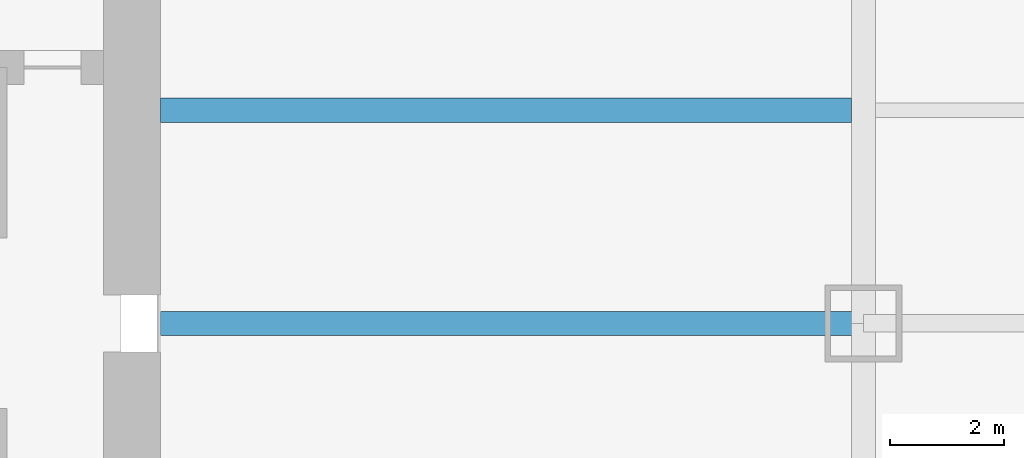
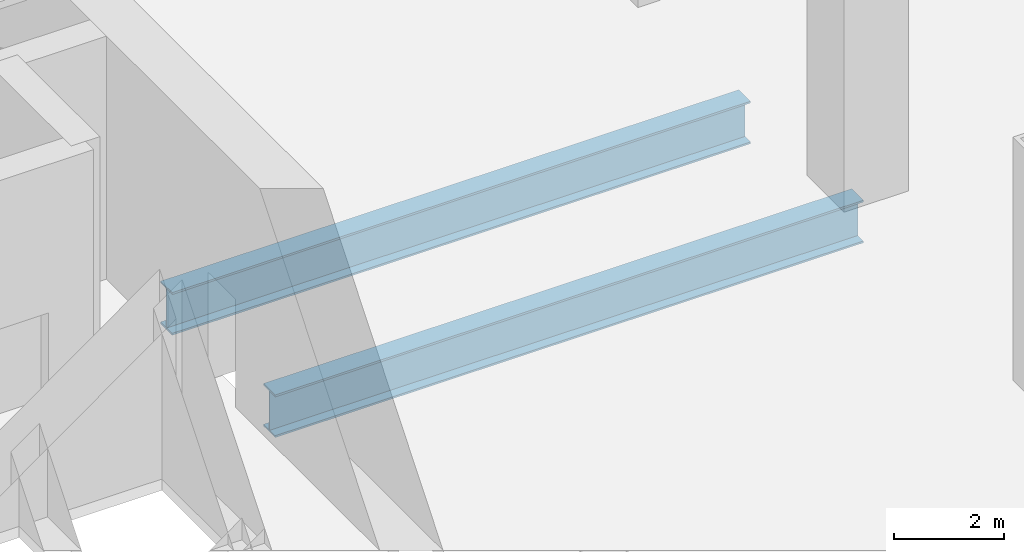
# One storey, part 5 of 16: 2 beams.
"""IFC4 building model written with IfcOpenShell, lengths in metres."""

import ifcopenshell
import ifcopenshell.guid

model = None  # the IFC model being written
_history = None  # IfcOwnerHistory: only IFC2X3 demands one
_inside = {}  # id of a spatial element -> (the spatial element, [elements in it])
_under = {}  # id of a project, library or spatial element -> (it, [spatial elements below it])
_declared = {}  # id of a project -> (the project, [libraries it declares])
_typed = {}  # id of a type object -> (the type object, [elements of that type])
_made_of = {}  # id of a material, layer set ... -> (it, [elements and type objects made of it])


def new_model(schema):
    """Start an empty IFC model of exactly this schema.

    Asked for "IFC4X3", IfcOpenShell would pick the latest addendum, in which some entities
    have other attributes; the version numbers below select the first issue.
    IFC2X3 requires an IfcOwnerHistory on every rooted entity: one is made here for all.
    """
    global model, _history
    if schema == "IFC4X3":
        model = ifcopenshell.file(schema_version=(4, 3, 0, 0))
    else:
        model = ifcopenshell.file(schema=schema)
    _inside.clear()
    _under.clear()
    _declared.clear()
    _typed.clear()
    _made_of.clear()
    _history = None
    if model.schema == "IFC2X3":
        org = make("IfcOrganization", Name="unknown")
        user = make(
            "IfcPersonAndOrganization",
            ThePerson=make("IfcPerson", FamilyName="unknown"),
            TheOrganization=org,
        )
        app = make(
            "IfcApplication",
            ApplicationDeveloper=org,
            Version="unknown",
            ApplicationFullName="unknown",
            ApplicationIdentifier="unknown",
        )
        _history = make(
            "IfcOwnerHistory",
            OwningUser=user,
            OwningApplication=app,
            ChangeAction="ADDED",
            CreationDate=0,
        )
    return model


def make(cls, **values):
    """One entity of the class cls with the attributes given. An attribute that is None is left unset."""
    return model.create_entity(
        cls, **{name: value for name, value in values.items() if value is not None}
    )


def rooted(cls, **values):
    """An entity with a GlobalId (a new one), such as an element, a storey or a relation."""
    return make(cls, GlobalId=ifcopenshell.guid.new(), OwnerHistory=_history, **values)


def si_unit(unit_type, name, prefix=None):
    """IfcSIUnit, for example si_unit("LENGTHUNIT", "METRE", prefix="MILLI")."""
    return make("IfcSIUnit", UnitType=unit_type, Prefix=prefix, Name=name)


def assignment(units):
    """IfcUnitAssignment: the units of a project."""
    return None if units is None else make("IfcUnitAssignment", Units=units)


def point(xyz):
    """IfcCartesianPoint."""
    return None if xyz is None else make("IfcCartesianPoint", Coordinates=xyz)


def direction(xyz):
    """IfcDirection."""
    return None if xyz is None else make("IfcDirection", DirectionRatios=xyz)


def frame(location, z_axis=None, x_axis=None):
    """IfcAxis2Placement3D, a coordinate frame: its origin and axes. An axis left out is left unset."""
    return make(
        "IfcAxis2Placement3D",
        Location=point(location),
        Axis=direction(z_axis),
        RefDirection=direction(x_axis),
    )


def frame_2d(location, x_axis=None):
    """IfcAxis2Placement2D, a coordinate frame in the plane: its origin and x axis."""
    return make(
        "IfcAxis2Placement2D", Location=point(location), RefDirection=direction(x_axis)
    )


def origin():
    """The frame at (0, 0, 0) with its axes left unset."""
    return frame((0.0, 0.0, 0.0))


def origin_2d():
    """The frame at (0, 0) in the plane with its x axis left unset."""
    return frame_2d((0.0, 0.0))


def place(relative_to, where):
    """IfcLocalPlacement: puts the frame where relative to a parent placement (None: the world)."""
    return make(
        "IfcLocalPlacement", PlacementRelTo=relative_to, RelativePlacement=where
    )


def context(
    kind, dimensions, precision=None, world=None, true_north=None, identifier=None
):
    """IfcGeometricRepresentationContext, for example the 3D "Model" context."""
    return make(
        "IfcGeometricRepresentationContext",
        ContextIdentifier=identifier,
        ContextType=kind,
        CoordinateSpaceDimension=dimensions,
        Precision=precision,
        WorldCoordinateSystem=world,
        TrueNorth=true_north,
    )


def subcontext(parent, identifier, kind, view, scale=None):
    """IfcGeometricRepresentationSubContext, for example "Body" below "Model"."""
    return make(
        "IfcGeometricRepresentationSubContext",
        ContextIdentifier=identifier,
        ContextType=kind,
        ParentContext=parent,
        TargetScale=scale,
        TargetView=view,
    )


def project(units=None, contexts=None):
    """IfcProject with its units and contexts."""
    return rooted(
        "IfcProject",
        Name="project",
        RepresentationContexts=contexts,
        UnitsInContext=assignment(units),
    )


def spatial(cls, under=None, at=None, **own):
    """A site, building, storey or space (cls), placed at a placement, below another one or the project."""
    s = rooted(cls, ObjectPlacement=at, **own)
    if under is not None:
        _under.setdefault(under.id(), (under, []))[1].append(s)
    return s


def profile(cls, at=None, kind="AREA", **sizes):
    """A parametric profile (cls). Its sizes go by their IFC names, for example OverallWidth=200.0."""
    return make(cls, ProfileType=kind, Position=at, **sizes)


def i_section(**sizes):
    """IfcIShapeProfileDef."""
    return profile("IfcIShapeProfileDef", **sizes)


def extrude(swept, where, along, depth):
    """IfcExtrudedAreaSolid: the profile swept, set in the frame where, extruded along a direction by depth."""
    return make(
        "IfcExtrudedAreaSolid",
        SweptArea=swept,
        Position=where,
        ExtrudedDirection=direction(along),
        Depth=depth,
    )


def shape(context_of_items, identifier, shape_type, items):
    """IfcShapeRepresentation: the items that make up one representation, for example the "Body"."""
    return make(
        "IfcShapeRepresentation",
        ContextOfItems=context_of_items,
        RepresentationIdentifier=identifier,
        RepresentationType=shape_type,
        Items=items,
    )


def material(Name=None, Category=None):
    """IfcMaterial."""
    return make("IfcMaterial", Name=Name, Category=Category)


def material_profile(
    of_material, cross_section, Name=None, Category=None, Priority=None
):
    """IfcMaterialProfile: a cross section and its material."""
    return make(
        "IfcMaterialProfile",
        Name=Name,
        Material=of_material,
        Profile=cross_section,
        Priority=Priority,
        Category=Category,
    )


def profile_set(profiles, Name=None, composite=None):
    """IfcMaterialProfileSet."""
    return make(
        "IfcMaterialProfileSet",
        Name=Name,
        MaterialProfiles=profiles,
        CompositeProfile=composite,
    )


def made_of(thing, what):
    """Note that an element or type object is made of a material, layer set ...; save() writes the relation."""
    if what is not None:
        _made_of.setdefault(what.id(), (what, []))[1].append(thing)
    return thing


def type_object(cls, material=None, **own):
    """A type object (cls), such as IfcWallType, which elements share."""
    return made_of(rooted(cls, **own), material)


def element(
    cls,
    number,
    at=None,
    inside=None,
    cuts=None,
    type_object=None,
    material=None,
    context=None,
    identifier="Body",
    shape_type=None,
    held_by="IfcProductDefinitionShape",
    body=None,
    shapes=None,
    **own,
):
    """One element of the class cls, such as IfcWall. Its Tag is "e" and its number.

    at: its placement. inside: the storey or other place that contains it. cuts: it is an
    opening in that element (IfcRelVoidsElement). A single representation is given by context,
    identifier, shape_type and body (its items); several are given by shapes. held_by: the class
    of the entity that holds the representations. save() writes the other relations.
    """
    e = rooted(cls, Tag="e%d" % number, ObjectPlacement=at, **own)
    if body is not None:
        shapes = [shape(context, identifier, shape_type, body)]
    if shapes is not None:
        e.Representation = make(held_by, Representations=shapes)
    if inside is not None:
        _inside.setdefault(inside.id(), (inside, []))[1].append(e)
    if cuts is not None:
        rooted(
            "IfcRelVoidsElement", RelatingBuildingElement=cuts, RelatedOpeningElement=e
        )
    if type_object is not None:
        _typed.setdefault(type_object.id(), (type_object, []))[1].append(e)
    return made_of(e, material)


def aggregate(whole, parts):
    """IfcRelAggregates: a whole, such as a stair, and the parts it consists of."""
    return rooted("IfcRelAggregates", RelatingObject=whole, RelatedObjects=parts)


def save(model, path):
    """Write the relations noted so far, then the file.

    IfcRelAggregates (storeys below a building ...), IfcRelContainedInSpatialStructure (elements
    in a storey), IfcRelDefinesByType, IfcRelAssociatesMaterial and IfcRelDeclares: one each for
    every whole, place, type object, material and project.
    """
    for whole, parts in _under.values():
        aggregate(whole, parts)
    for where, things in _inside.values():
        rooted(
            "IfcRelContainedInSpatialStructure",
            RelatedElements=things,
            RelatingStructure=where,
        )
    for kind, things in _typed.values():
        rooted("IfcRelDefinesByType", RelatedObjects=things, RelatingType=kind)
    for what, things in _made_of.values():
        rooted("IfcRelAssociatesMaterial", RelatedObjects=things, RelatingMaterial=what)
    for by, libraries in _declared.values():
        rooted("IfcRelDeclares", RelatingContext=by, RelatedDefinitions=libraries)
    model.write(path)


model = new_model("IFC4")

# Units and contexts
model_context = context("Model", 3, precision=1e-05, world=origin(), true_north=direction((0.0, 1.0)))
body_context = subcontext(model_context, "Body", "Model", "MODEL_VIEW")
ifc_project = project(units=[si_unit("LENGTHUNIT", "METRE"), si_unit("AREAUNIT", "SQUARE_METRE"), si_unit("VOLUMEUNIT", "CUBIC_METRE"), si_unit("PLANEANGLEUNIT", "RADIAN"), si_unit("MASSUNIT", "GRAM", prefix="KILO")], contexts=[model_context])

# Site, building, storey
site_placement = place(None, origin())
site = spatial("IfcSite", under=ifc_project, at=site_placement, CompositionType="ELEMENT")
building_placement = place(site_placement, origin())
building = spatial("IfcBuilding", under=site, at=building_placement, Name="Tarangal Relay Tower", CompositionType="ELEMENT")
storey_placement = place(building_placement, frame((0.0, 0.0, 12.60009765625)))
storey = spatial("IfcBuildingStorey", under=building, at=storey_placement, Name="L02", CompositionType="ELEMENT", Elevation=12.60009765625)

# Beams
ifc_material = material(Name="Steel ASTM A992", Category="steel")
ifc_material_profile = material_profile(ifc_material, i_section(OverallWidth=0.42431640625, OverallDepth=0.947509765625, WebThickness=0.02392578125, FlangeThickness=0.042724609375, at=origin_2d()), Name="W36X302")
ifc_profile_set = profile_set([ifc_material_profile], Name="Steel ASTM A992")
beam_type = type_object("IfcBeamType", Name="Floor beam W36X302", PredefinedType="BEAM", material=ifc_profile_set)
beam_1_placement = place(storey_placement, frame((12.0, 3.75, -0.723876953125), z_axis=(1.0, 0.0, 0.0), x_axis=(0.0, 1.0, 0.0)))
element("IfcBeam", 1, at=beam_1_placement, inside=storey, type_object=beam_type, Name="Floor beam RB10 E L02", PredefinedType="BEAM", context=body_context, shape_type="SweptSolid", body=[
    extrude(i_section(OverallWidth=0.42431640625, OverallDepth=0.947509765625, WebThickness=0.02392578125, FlangeThickness=0.042724609375, at=origin_2d()), origin(), (0.0, 0.0, 1.0), 12.156982421875),
])
beam_2_placement = place(storey_placement, frame((12.0, 0.0, -0.723876953125), z_axis=(1.0, 0.0, 0.0), x_axis=(0.0, 1.0, 0.0)))
element("IfcBeam", 2, at=beam_2_placement, inside=storey, type_object=beam_type, Name="Floor beam RB10 E L02", PredefinedType="BEAM", context=body_context, shape_type="SweptSolid", body=[
    extrude(i_section(OverallWidth=0.42431640625, OverallDepth=0.947509765625, WebThickness=0.02392578125, FlangeThickness=0.042724609375, at=origin_2d()), origin(), (0.0, 0.0, 1.0), 12.364990234375),
])

save(model, "model.ifc")
